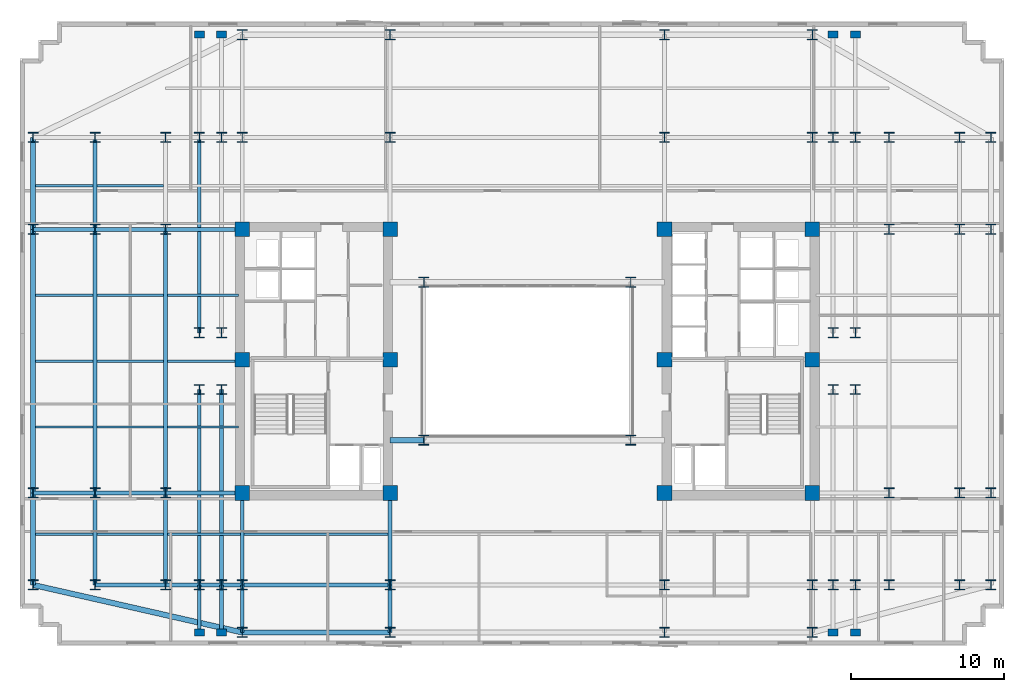
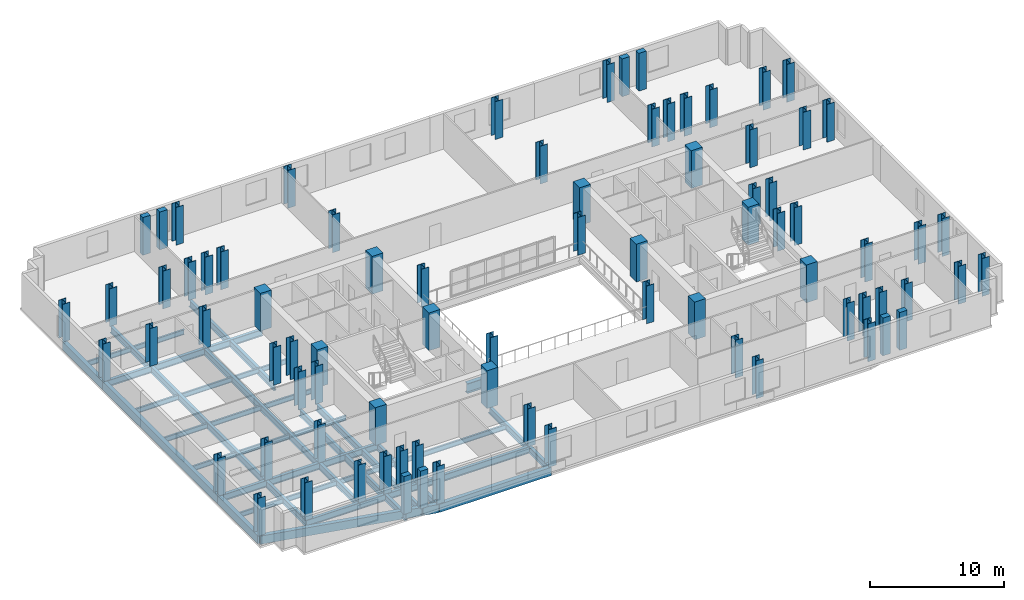
# One storey, part 1 of 12: 80 columns, 44 beams.
"""IFC4 building model written with IfcOpenShell, lengths in metres."""

from ifc_helpers import new_model, si_unit, direction, frame, origin, origin_2d, place, context, subcontext, project, spatial, rectangle, i_section, extrude, material, material_profile, profile_set, type_object, element, save


model = new_model("IFC4")

# Units and contexts
model_context = context("Model", 3, precision=1e-05, world=origin(), true_north=direction((0.0, 1.0)))
body_context = subcontext(model_context, "Body", "Model", "MODEL_VIEW")
ifc_project = project(units=[si_unit("LENGTHUNIT", "METRE"), si_unit("AREAUNIT", "SQUARE_METRE"), si_unit("VOLUMEUNIT", "CUBIC_METRE"), si_unit("PLANEANGLEUNIT", "RADIAN"), si_unit("MASSUNIT", "GRAM", prefix="KILO")], contexts=[model_context])

# Site, building, storey
site_placement = place(None, origin())
site = spatial("IfcSite", under=ifc_project, at=site_placement, CompositionType="ELEMENT")
building_placement = place(site_placement, origin())
building = spatial("IfcBuilding", under=site, at=building_placement, Name="Velakula Bourse", CompositionType="ELEMENT")
storey_placement = place(building_placement, frame((0.0, 0.0, 134.64990234375)))
storey = spatial("IfcBuildingStorey", under=building, at=storey_placement, Name="L36", CompositionType="ELEMENT", Elevation=134.64990234375)

# Columns
ifc_material_1 = material(Name="Concrete M70 (fck 70 MPa)", Category="concrete")
ifc_material_profile_1 = material_profile(ifc_material_1, rectangle(XDim=0.949951171875, YDim=0.949951171875, at=origin_2d()), Name="Concrete M70 (fck 70 MPa)")
ifc_profile_set_1 = profile_set([ifc_material_profile_1], Name="Concrete M70 (fck 70 MPa)")
column_type_1 = type_object("IfcColumnType", Name="COL-RC-950", PredefinedType="COLUMN", material=ifc_profile_set_1)
for number, where, z_axis, x_axis, name in (
    (1, (-8.949951171875, -8.60009765625, 0.0), (0.0, 0.0, 1.0), (1.0, 0.0, 0.0), "L36 Core Boundary Column 01"),
    (2, (-8.949951171875, 0.10009765625, 0.0), (0.0, 0.0, 1.0), (1.0, 0.0, 0.0), "L36 Core Boundary Column 02"),
    (3, (-8.949951171875, 8.60009765625, 0.0), (0.0, 0.0, 1.0), (1.0, 0.0, 0.0), "L36 Core Boundary Column 03"),
    (4, (-18.60009765625, -8.60009765625, 0.0), (0.0, 0.0, 1.0), (1.0, 0.0, 0.0), "L36 Core Boundary Column 04"),
    (5, (-18.60009765625, 0.10009765625, 0.0), (0.0, 0.0, 1.0), (1.0, 0.0, 0.0), "L36 Core Boundary Column 05"),
    (6, (-18.60009765625, 8.60009765625, 0.0), (0.0, 0.0, 1.0), (1.0, 0.0, 0.0), "L36 Core Boundary Column 06"),
    (7, (8.949951171875, -8.60009765625, 0.0), (0.0, 0.0, 1.0), (1.0, 0.0, 0.0), "L36 Core Boundary Column 07"),
    (8, (8.949951171875, 0.10009765625, 0.0), (0.0, 0.0, 1.0), (1.0, 0.0, 0.0), "L36 Core Boundary Column 08"),
    (9, (8.949951171875, 8.60009765625, 0.0), (0.0, 0.0, 1.0), (1.0, 0.0, 0.0), "L36 Core Boundary Column 09"),
    (10, (18.60009765625, -8.60009765625, 0.0), (0.0, 0.0, 1.0), (1.0, 0.0, 0.0), "L36 Core Boundary Column 10"),
    (11, (18.60009765625, 0.10009765625, 0.0), (0.0, 0.0, 1.0), (1.0, 0.0, 0.0), "L36 Core Boundary Column 11"),
    (12, (18.60009765625, 8.60009765625, 0.0), (0.0, 0.0, 1.0), (1.0, 0.0, 0.0), "L36 Core Boundary Column 12"),
):
    element("IfcColumn", number, at=place(storey_placement, frame(where, z_axis=z_axis, x_axis=x_axis)), inside=storey, type_object=column_type_1, Name=name, PredefinedType="COLUMN", context=body_context, shape_type="SweptSolid", body=[
        extrude(rectangle(XDim=0.949951171875, YDim=0.949951171875, at=origin_2d()), origin(), (0.0, 0.0, 1.0), 3.4501953125),
    ])
ifc_material_2 = material(Name="Steel IS 2062 Grade 350 (E350)", Category="steel")
ifc_material_profile_2 = material_profile(ifc_material_2, i_section(OverallWidth=0.64990234375, OverallDepth=0.64990234375, WebThickness=0.028076171875, FlangeThickness=0.0400390625, at=origin_2d()), Name="Steel IS 2062 Grade 350 (E350)")
ifc_profile_set_2 = profile_set([ifc_material_profile_2], Name="Steel IS 2062 Grade 350 (E350)")
column_type_2 = type_object("IfcColumnType", Name="COL-STL-650", PredefinedType="COLUMN", material=ifc_profile_set_2)
for number, where, z_axis, x_axis, name in (
    (13, (-6.75, -5.14990234375, 0.0), (0.0, 0.0, 1.0), (1.0, 0.0, 0.0), "L36 Central Spine Column 01"),
    (14, (-6.75, 5.14990234375, 0.0), (0.0, 0.0, 1.0), (1.0, 0.0, 0.0), "L36 Central Spine Column 02"),
    (15, (6.75, -5.14990234375, 0.0), (0.0, 0.0, 1.0), (1.0, 0.0, 0.0), "L36 Central Spine Column 03"),
    (16, (6.75, 5.14990234375, 0.0), (0.0, 0.0, 1.0), (1.0, 0.0, 0.0), "L36 Central Spine Column 04"),
    (17, (-21.39990234375, -14.60009765625, 0.0), (0.0, 0.0, 1.0), (1.0, 0.0, 0.0), "L36 Tower Fulcrum Column 01"),
    (18, (-21.39990234375, 14.60009765625, 0.0), (0.0, 0.0, 1.0), (1.0, 0.0, 0.0), "L36 Tower Fulcrum Column 02"),
    (19, (-19.949951171875, -14.60009765625, 0.0), (0.0, 0.0, 1.0), (1.0, 0.0, 0.0), "L36 Tower Fulcrum Column 03"),
    (20, (-19.949951171875, 14.60009765625, 0.0), (0.0, 0.0, 1.0), (1.0, 0.0, 0.0), "L36 Tower Fulcrum Column 04"),
    (21, (-18.60009765625, -14.60009765625, 0.0), (0.0, 0.0, 1.0), (1.0, 0.0, 0.0), "L36 Tower Fulcrum Column 05"),
    (22, (-18.60009765625, 14.60009765625, 0.0), (0.0, 0.0, 1.0), (1.0, 0.0, 0.0), "L36 Tower Fulcrum Column 06"),
    (23, (-8.949951171875, -14.60009765625, 0.0), (0.0, 0.0, 1.0), (1.0, 0.0, 0.0), "L36 Tower Fulcrum Column 07"),
    (24, (-8.949951171875, 14.60009765625, 0.0), (0.0, 0.0, 1.0), (1.0, 0.0, 0.0), "L36 Tower Fulcrum Column 08"),
    (25, (8.949951171875, -14.60009765625, 0.0), (0.0, 0.0, 1.0), (1.0, 0.0, 0.0), "L36 Tower Fulcrum Column 09"),
    (26, (8.949951171875, 14.60009765625, 0.0), (0.0, 0.0, 1.0), (1.0, 0.0, 0.0), "L36 Tower Fulcrum Column 10"),
    (27, (18.60009765625, -14.60009765625, 0.0), (0.0, 0.0, 1.0), (1.0, 0.0, 0.0), "L36 Tower Fulcrum Column 11"),
    (28, (18.60009765625, 14.60009765625, 0.0), (0.0, 0.0, 1.0), (1.0, 0.0, 0.0), "L36 Tower Fulcrum Column 12"),
    (29, (19.949951171875, -14.60009765625, 0.0), (0.0, 0.0, 1.0), (1.0, 0.0, 0.0), "L36 Tower Fulcrum Column 13"),
    (30, (19.949951171875, 14.60009765625, 0.0), (0.0, 0.0, 1.0), (1.0, 0.0, 0.0), "L36 Tower Fulcrum Column 14"),
    (31, (21.39990234375, -14.60009765625, 0.0), (0.0, 0.0, 1.0), (1.0, 0.0, 0.0), "L36 Tower Fulcrum Column 15"),
    (32, (21.39990234375, 14.60009765625, 0.0), (0.0, 0.0, 1.0), (1.0, 0.0, 0.0), "L36 Tower Fulcrum Column 16"),
    (33, (-21.39990234375, -1.85009765625, 0.0), (0.0, 0.0, 1.0), (1.0, 0.0, 0.0), "L36 Tower Fulcrum Column 17"),
    (34, (-21.39990234375, 1.85009765625, 0.0), (0.0, 0.0, 1.0), (1.0, 0.0, 0.0), "L36 Tower Fulcrum Column 18"),
    (35, (-19.949951171875, -1.85009765625, 0.0), (0.0, 0.0, 1.0), (1.0, 0.0, 0.0), "L36 Tower Fulcrum Column 19"),
    (36, (-19.949951171875, 1.85009765625, 0.0), (0.0, 0.0, 1.0), (1.0, 0.0, 0.0), "L36 Tower Fulcrum Column 20"),
    (37, (19.949951171875, -1.85009765625, 0.0), (0.0, 0.0, 1.0), (1.0, 0.0, 0.0), "L36 Tower Fulcrum Column 21"),
    (38, (19.949951171875, 1.85009765625, 0.0), (0.0, 0.0, 1.0), (1.0, 0.0, 0.0), "L36 Tower Fulcrum Column 22"),
    (39, (21.39990234375, -1.85009765625, 0.0), (0.0, 0.0, 1.0), (1.0, 0.0, 0.0), "L36 Tower Fulcrum Column 23"),
    (40, (21.39990234375, 1.85009765625, 0.0), (0.0, 0.0, 1.0), (1.0, 0.0, 0.0), "L36 Tower Fulcrum Column 24"),
    (41, (-23.60009765625, -14.60009765625, 0.0), (0.0, 0.0, 1.0), (1.0, 0.0, 0.0), "L36 Mid-Wing Plumb Column 01"),
    (42, (-23.60009765625, -8.60009765625, 0.0), (0.0, 0.0, 1.0), (1.0, 0.0, 0.0), "L36 Mid-Wing Plumb Column 02"),
    (43, (-23.60009765625, 8.60009765625, 0.0), (0.0, 0.0, 1.0), (1.0, 0.0, 0.0), "L36 Mid-Wing Plumb Column 03"),
    (44, (-23.60009765625, 14.60009765625, 0.0), (0.0, 0.0, 1.0), (1.0, 0.0, 0.0), "L36 Mid-Wing Plumb Column 04"),
    (45, (23.60009765625, -14.60009765625, 0.0), (0.0, 0.0, 1.0), (1.0, 0.0, 0.0), "L36 Mid-Wing Plumb Column 05"),
    (46, (23.60009765625, -8.60009765625, 0.0), (0.0, 0.0, 1.0), (1.0, 0.0, 0.0), "L36 Mid-Wing Plumb Column 06"),
    (47, (23.60009765625, 8.60009765625, 0.0), (0.0, 0.0, 1.0), (1.0, 0.0, 0.0), "L36 Mid-Wing Plumb Column 07"),
    (48, (23.60009765625, 14.60009765625, 0.0), (0.0, 0.0, 1.0), (1.0, 0.0, 0.0), "L36 Mid-Wing Plumb Column 08"),
    (49, (-28.199951171875, -14.60009765625, 0.0), (0.0, 0.0, 1.0), (1.0, 0.0, 0.0), "L36 Lower Wing Column 01"),
    (50, (-28.199951171875, -8.60009765625, 0.0), (0.0, 0.0, 1.0), (1.0, 0.0, 0.0), "L36 Lower Wing Column 02"),
    (51, (-28.199951171875, 8.60009765625, 0.0), (0.0, 0.0, 1.0), (1.0, 0.0, 0.0), "L36 Lower Wing Column 03"),
    (52, (-28.199951171875, 14.60009765625, 0.0), (0.0, 0.0, 1.0), (1.0, 0.0, 0.0), "L36 Lower Wing Column 04"),
    (53, (28.199951171875, -14.60009765625, 0.0), (0.0, 0.0, 1.0), (1.0, 0.0, 0.0), "L36 Lower Wing Column 05"),
    (54, (28.199951171875, -8.60009765625, 0.0), (0.0, 0.0, 1.0), (1.0, 0.0, 0.0), "L36 Lower Wing Column 06"),
    (55, (28.199951171875, 8.60009765625, 0.0), (0.0, 0.0, 1.0), (1.0, 0.0, 0.0), "L36 Lower Wing Column 07"),
    (56, (28.199951171875, 14.60009765625, 0.0), (0.0, 0.0, 1.0), (1.0, 0.0, 0.0), "L36 Lower Wing Column 08"),
    (57, (-18.60009765625, -17.699951171875, 0.0), (0.0, 0.0, 1.0), (1.0, 0.0, 0.0), "L36 Block B3 Perimeter Column S1"),
    (58, (-8.949951171875, -17.699951171875, 0.0), (0.0, 0.0, 1.0), (1.0, 0.0, 0.0), "L36 Block B3 Perimeter Column S2"),
    (59, (8.949951171875, -17.699951171875, 0.0), (0.0, 0.0, 1.0), (1.0, 0.0, 0.0), "L36 Block B3 Perimeter Column S3"),
    (60, (18.60009765625, -17.699951171875, 0.0), (0.0, 0.0, 1.0), (1.0, 0.0, 0.0), "L36 Block B3 Perimeter Column S4"),
    (61, (-18.60009765625, 21.300048828125, 0.0), (0.0, 0.0, 1.0), (1.0, 0.0, 0.0), "L36 Block B3 Perimeter Column N1"),
    (62, (-8.949951171875, 21.300048828125, 0.0), (0.0, 0.0, 1.0), (1.0, 0.0, 0.0), "L36 Block B3 Perimeter Column N2"),
    (63, (8.949951171875, 21.300048828125, 0.0), (0.0, 0.0, 1.0), (1.0, 0.0, 0.0), "L36 Block B3 Perimeter Column N3"),
    (64, (18.60009765625, 21.300048828125, 0.0), (0.0, 0.0, 1.0), (1.0, 0.0, 0.0), "L36 Block B3 Perimeter Column N4"),
    (65, (-32.25, -14.60009765625, 0.0), (0.0, 0.0, 1.0), (1.0, 0.0, 0.0), "L36 Block B3 Perimeter Column W1"),
    (66, (-32.25, -8.60009765625, 0.0), (0.0, 0.0, 1.0), (1.0, 0.0, 0.0), "L36 Block B3 Perimeter Column W2"),
    (67, (-32.25, 8.60009765625, 0.0), (0.0, 0.0, 1.0), (1.0, 0.0, 0.0), "L36 Block B3 Perimeter Column W3"),
    (68, (-32.25, 14.60009765625, 0.0), (0.0, 0.0, 1.0), (1.0, 0.0, 0.0), "L36 Block B3 Perimeter Column W4"),
    (69, (30.25, -14.60009765625, 0.0), (0.0, 0.0, 1.0), (1.0, 0.0, 0.0), "L36 Block B3 Perimeter Column E1"),
    (70, (30.25, -8.60009765625, 0.0), (0.0, 0.0, 1.0), (1.0, 0.0, 0.0), "L36 Block B3 Perimeter Column E2"),
    (71, (30.25, 8.60009765625, 0.0), (0.0, 0.0, 1.0), (1.0, 0.0, 0.0), "L36 Block B3 Perimeter Column E3"),
    (72, (30.25, 14.60009765625, 0.0), (0.0, 0.0, 1.0), (1.0, 0.0, 0.0), "L36 Block B3 Perimeter Column E4"),
):
    element("IfcColumn", number, at=place(storey_placement, frame(where, z_axis=z_axis, x_axis=x_axis)), inside=storey, type_object=column_type_2, Name=name, PredefinedType="COLUMN", context=body_context, shape_type="SweptSolid", body=[
        extrude(i_section(OverallWidth=0.64990234375, OverallDepth=0.64990234375, WebThickness=0.028076171875, FlangeThickness=0.0400390625, at=origin_2d()), origin(), (0.0, 0.0, 1.0), 3.4501953125),
    ])
ifc_material_3 = material(Name="Precast concrete M45 (fck 45 MPa)", Category="concrete")
ifc_material_profile_3 = material_profile(ifc_material_3, rectangle(XDim=0.64990234375, YDim=0.449951171875, at=origin_2d()), Name="Precast concrete M45 (fck 45 MPa)")
ifc_profile_set_3 = profile_set([ifc_material_profile_3], Name="Precast concrete M45 (fck 45 MPa)")
column_type_3 = type_object("IfcColumnType", Name="PIL-BRICK-650", PredefinedType="PILASTER", material=ifc_profile_set_3)
for number, where, z_axis, x_axis, name in (
    (73, (-21.39990234375, -17.699951171875, 0.0), (0.0, 0.0, 1.0), (1.0, 0.0, 0.0), "L36 Brick Pier Pilaster 01"),
    (74, (-19.949951171875, -17.699951171875, 0.0), (0.0, 0.0, 1.0), (1.0, 0.0, 0.0), "L36 Brick Pier Pilaster 02"),
    (75, (19.949951171875, -17.699951171875, 0.0), (0.0, 0.0, 1.0), (1.0, 0.0, 0.0), "L36 Brick Pier Pilaster 03"),
    (76, (21.39990234375, -17.699951171875, 0.0), (0.0, 0.0, 1.0), (1.0, 0.0, 0.0), "L36 Brick Pier Pilaster 04"),
    (77, (-21.39990234375, 21.300048828125, 0.0), (0.0, 0.0, 1.0), (1.0, 0.0, 0.0), "L36 Brick Pier Pilaster 05"),
    (78, (-19.949951171875, 21.300048828125, 0.0), (0.0, 0.0, 1.0), (1.0, 0.0, 0.0), "L36 Brick Pier Pilaster 06"),
    (79, (19.949951171875, 21.300048828125, 0.0), (0.0, 0.0, 1.0), (1.0, 0.0, 0.0), "L36 Brick Pier Pilaster 07"),
    (80, (21.39990234375, 21.300048828125, 0.0), (0.0, 0.0, 1.0), (1.0, 0.0, 0.0), "L36 Brick Pier Pilaster 08"),
):
    element("IfcColumn", number, at=place(storey_placement, frame(where, z_axis=z_axis, x_axis=x_axis)), inside=storey, type_object=column_type_3, Name=name, PredefinedType="PILASTER", context=body_context, shape_type="SweptSolid", body=[
        extrude(rectangle(XDim=0.64990234375, YDim=0.449951171875, at=origin_2d()), origin(), (0.0, 0.0, 1.0), 3.4501953125),
    ])

# Beams
ifc_material_profile_4 = material_profile(ifc_material_2, i_section(OverallWidth=0.25, OverallDepth=0.60009765625, WebThickness=0.01123046875, FlangeThickness=0.021240234375, at=origin_2d()), Name="Steel IS 2062 Grade 350 (E350)")
ifc_profile_set_4 = profile_set([ifc_material_profile_4], Name="Steel IS 2062 Grade 350 (E350)")
beam_type_1 = type_object("IfcBeamType", Name="BM-GRD-600M", PredefinedType="BEAM", material=ifc_profile_set_4)
for number, where, z_axis, x_axis, name in (
    (81, (-18.60009765625, -14.60009765625, -0.47998046875), (0.0, 1.0, 0.0), (-1.0, 0.0, 0.0), "L36 Fulcrum Grid Girder FLC-WS"),
    (82, (-8.949951171875, -14.60009765625, -0.47998046875), (0.0, 1.0, 0.0), (-1.0, 0.0, 0.0), "L36 Fulcrum Grid Girder FLC-WCS"),
):
    element("IfcBeam", number, at=place(storey_placement, frame(where, z_axis=z_axis, x_axis=x_axis)), inside=storey, type_object=beam_type_1, Name=name, PredefinedType="BEAM", context=body_context, shape_type="SweptSolid", body=[
        extrude(i_section(OverallWidth=0.25, OverallDepth=0.60009765625, WebThickness=0.01123046875, FlangeThickness=0.021240234375, at=origin_2d()), origin(), (0.0, 0.0, 1.0), 6.0),
    ])
beam_1_placement = place(storey_placement, frame((-18.60009765625, -14.60009765625, -0.47998046875), z_axis=(1.0, 0.0, 0.0), x_axis=(0.0, 1.0, 0.0)))
element("IfcBeam", 83, at=beam_1_placement, inside=storey, type_object=beam_type_1, Name="L36 Fulcrum Grid Girder FLC-S1", PredefinedType="BEAM", context=body_context, shape_type="SweptSolid", body=[
    extrude(i_section(OverallWidth=0.25, OverallDepth=0.60009765625, WebThickness=0.01123046875, FlangeThickness=0.021240234375, at=origin_2d()), origin(), (0.0, 0.0, 1.0), 9.650146484375),
])
for number, where, z_axis, x_axis, name in (
    (84, (-21.39990234375, -14.60009765625, -0.47998046875), (0.0, 1.0, 0.0), (-1.0, 0.0, 0.0), "L36 Fulcrum Grid Girder FLC-PSW1"),
    (85, (-21.39990234375, 1.85009765625, -0.47998046875), (0.0, 1.0, 0.0), (-1.0, 0.0, 0.0), "L36 Fulcrum Grid Girder FLC-PNW1"),
    (86, (-19.949951171875, -14.60009765625, -0.47998046875), (0.0, 1.0, 0.0), (-1.0, 0.0, 0.0), "L36 Fulcrum Grid Girder FLC-PSW2"),
):
    element("IfcBeam", number, at=place(storey_placement, frame(where, z_axis=z_axis, x_axis=x_axis)), inside=storey, type_object=beam_type_1, Name=name, PredefinedType="BEAM", context=body_context, shape_type="SweptSolid", body=[
        extrude(i_section(OverallWidth=0.25, OverallDepth=0.60009765625, WebThickness=0.01123046875, FlangeThickness=0.021240234375, at=origin_2d()), origin(), (0.0, 0.0, 1.0), 12.75),
    ])
for number, where, z_axis, x_axis, name in (
    (87, (-23.60009765625, -14.60009765625, -0.47998046875), (1.0, 0.0, 0.0), (0.0, 1.0, 0.0), "L36 Fulcrum Grid Girder MWG-WS1"),
    (88, (-23.60009765625, -8.60009765625, -0.47998046875), (1.0, 0.0, 0.0), (0.0, 1.0, 0.0), "L36 Fulcrum Grid Girder MWG-WS2"),
    (89, (-23.60009765625, 8.60009765625, -0.47998046875), (1.0, 0.0, 0.0), (0.0, 1.0, 0.0), "L36 Fulcrum Grid Girder MWG-WN1"),
):
    element("IfcBeam", number, at=place(storey_placement, frame(where, z_axis=z_axis, x_axis=x_axis)), inside=storey, type_object=beam_type_1, Name=name, PredefinedType="BEAM", context=body_context, shape_type="SweptSolid", body=[
        extrude(i_section(OverallWidth=0.25, OverallDepth=0.60009765625, WebThickness=0.01123046875, FlangeThickness=0.021240234375, at=origin_2d()), origin(), (0.0, 0.0, 1.0), 5.0),
    ])
beam_2_placement = place(storey_placement, frame((-23.60009765625, -14.60009765625, -0.47998046875), z_axis=(0.0, 1.0, 0.0), x_axis=(-1.0, 0.0, 0.0)))
element("IfcBeam", 90, at=beam_2_placement, inside=storey, type_object=beam_type_1, Name="L36 Fulcrum Grid Girder MWG-WNS1", PredefinedType="BEAM", context=body_context, shape_type="SweptSolid", body=[
    extrude(i_section(OverallWidth=0.25, OverallDepth=0.60009765625, WebThickness=0.01123046875, FlangeThickness=0.021240234375, at=origin_2d()), origin(), (0.0, 0.0, 1.0), 6.0),
])
beam_3_placement = place(storey_placement, frame((-23.60009765625, -8.60009765625, -0.47998046875), z_axis=(0.0, 1.0, 0.0), x_axis=(-1.0, 0.0, 0.0)))
element("IfcBeam", 91, at=beam_3_placement, inside=storey, type_object=beam_type_1, Name="L36 Fulcrum Grid Girder MWG-WNS2", PredefinedType="BEAM", context=body_context, shape_type="SweptSolid", body=[
    extrude(i_section(OverallWidth=0.25, OverallDepth=0.60009765625, WebThickness=0.01123046875, FlangeThickness=0.021240234375, at=origin_2d()), origin(), (0.0, 0.0, 1.0), 17.2001953125),
])
for number, where, z_axis, x_axis, name in (
    (92, (-28.199951171875, -14.60009765625, -0.47998046875), (1.0, 0.0, 0.0), (0.0, 1.0, 0.0), "L36 Fulcrum Grid Girder WNG-WS1"),
    (93, (-28.199951171875, -8.60009765625, -0.47998046875), (1.0, 0.0, 0.0), (0.0, 1.0, 0.0), "L36 Fulcrum Grid Girder WNG-WS2"),
    (94, (-28.199951171875, 8.60009765625, -0.47998046875), (1.0, 0.0, 0.0), (0.0, 1.0, 0.0), "L36 Fulcrum Grid Girder WNG-WN1"),
):
    element("IfcBeam", number, at=place(storey_placement, frame(where, z_axis=z_axis, x_axis=x_axis)), inside=storey, type_object=beam_type_1, Name=name, PredefinedType="BEAM", context=body_context, shape_type="SweptSolid", body=[
        extrude(i_section(OverallWidth=0.25, OverallDepth=0.60009765625, WebThickness=0.01123046875, FlangeThickness=0.021240234375, at=origin_2d()), origin(), (0.0, 0.0, 1.0), 4.599853515625),
    ])
beam_4_placement = place(storey_placement, frame((-28.199951171875, -14.60009765625, -0.47998046875), z_axis=(0.0, 1.0, 0.0), x_axis=(-1.0, 0.0, 0.0)))
element("IfcBeam", 95, at=beam_4_placement, inside=storey, type_object=beam_type_1, Name="L36 Fulcrum Grid Girder WNG-WNS1", PredefinedType="BEAM", context=body_context, shape_type="SweptSolid", body=[
    extrude(i_section(OverallWidth=0.25, OverallDepth=0.60009765625, WebThickness=0.01123046875, FlangeThickness=0.021240234375, at=origin_2d()), origin(), (0.0, 0.0, 1.0), 6.0),
])
beam_5_placement = place(storey_placement, frame((-28.199951171875, -8.60009765625, -0.47998046875), z_axis=(0.0, 1.0, 0.0), x_axis=(-1.0, 0.0, 0.0)))
element("IfcBeam", 96, at=beam_5_placement, inside=storey, type_object=beam_type_1, Name="L36 Fulcrum Grid Girder WNG-WNS2", PredefinedType="BEAM", context=body_context, shape_type="SweptSolid", body=[
    extrude(i_section(OverallWidth=0.25, OverallDepth=0.60009765625, WebThickness=0.01123046875, FlangeThickness=0.021240234375, at=origin_2d()), origin(), (0.0, 0.0, 1.0), 17.2001953125),
])
beam_6_placement = place(storey_placement, frame((-28.199951171875, 8.60009765625, -0.47998046875), z_axis=(0.0, 1.0, 0.0), x_axis=(-1.0, 0.0, 0.0)))
element("IfcBeam", 97, at=beam_6_placement, inside=storey, type_object=beam_type_1, Name="L36 Fulcrum Grid Girder WNG-WNS3", PredefinedType="BEAM", context=body_context, shape_type="SweptSolid", body=[
    extrude(i_section(OverallWidth=0.25, OverallDepth=0.60009765625, WebThickness=0.01123046875, FlangeThickness=0.021240234375, at=origin_2d()), origin(), (0.0, 0.0, 1.0), 6.0),
])
for number, where, z_axis, x_axis, name in (
    (98, (-18.60009765625, -14.60009765625, -0.47998046875), (0.0, -1.0, 0.0), (1.0, 0.0, 0.0), "L36 Perimeter Tie Girder S1"),
    (99, (-8.949951171875, -14.60009765625, -0.47998046875), (0.0, -1.0, 0.0), (1.0, 0.0, 0.0), "L36 Perimeter Tie Girder S2"),
):
    element("IfcBeam", number, at=place(storey_placement, frame(where, z_axis=z_axis, x_axis=x_axis)), inside=storey, type_object=beam_type_1, Name=name, PredefinedType="BEAM", context=body_context, shape_type="SweptSolid", body=[
        extrude(i_section(OverallWidth=0.25, OverallDepth=0.60009765625, WebThickness=0.01123046875, FlangeThickness=0.021240234375, at=origin_2d()), origin(), (0.0, 0.0, 1.0), 3.099853515625),
    ])
for number, where, z_axis, x_axis, name in (
    (100, (-28.199951171875, -8.60009765625, -0.47998046875), (-1.0, 0.0, 0.0), (0.0, -1.0, 0.0), "L36 Perimeter Tie Girder W2"),
    (101, (-28.199951171875, 8.60009765625, -0.47998046875), (-1.0, 0.0, 0.0), (0.0, -1.0, 0.0), "L36 Perimeter Tie Girder W3"),
):
    element("IfcBeam", number, at=place(storey_placement, frame(where, z_axis=z_axis, x_axis=x_axis)), inside=storey, type_object=beam_type_1, Name=name, PredefinedType="BEAM", context=body_context, shape_type="SweptSolid", body=[
        extrude(i_section(OverallWidth=0.25, OverallDepth=0.60009765625, WebThickness=0.01123046875, FlangeThickness=0.021240234375, at=origin_2d()), origin(), (0.0, 0.0, 1.0), 4.050048828125),
    ])
for number, where, z_axis, x_axis, name in (
    (102, (-21.39990234375, -14.60009765625, -0.47998046875), (0.0, -1.0, 0.0), (1.0, 0.0, 0.0), "L36 Perimeter Tie Girder P01"),
    (103, (-19.949951171875, -14.60009765625, -0.47998046875), (0.0, -1.0, 0.0), (1.0, 0.0, 0.0), "L36 Perimeter Tie Girder P02"),
):
    element("IfcBeam", number, at=place(storey_placement, frame(where, z_axis=z_axis, x_axis=x_axis)), inside=storey, type_object=beam_type_1, Name=name, PredefinedType="BEAM", context=body_context, shape_type="SweptSolid", body=[
        extrude(i_section(OverallWidth=0.25, OverallDepth=0.60009765625, WebThickness=0.01123046875, FlangeThickness=0.021240234375, at=origin_2d()), origin(), (0.0, 0.0, 1.0), 3.099853515625),
    ])
ifc_material_profile_5 = material_profile(ifc_material_2, i_section(OverallWidth=0.35009765625, OverallDepth=0.89990234375, WebThickness=0.02001953125, FlangeThickness=0.031982421875, at=origin_2d()), Name="Steel IS 2062 Grade 350 (E350)")
ifc_profile_set_5 = profile_set([ifc_material_profile_5], Name="Steel IS 2062 Grade 350 (E350)")
beam_type_2 = type_object("IfcBeamType", Name="BM-LNK-900", PredefinedType="BEAM", material=ifc_profile_set_5)
beam_7_placement = place(storey_placement, frame((-8.949951171875, -5.14990234375, -0.6298828125), z_axis=(1.0, 0.0, 0.0), x_axis=(0.0, 1.0, 0.0)))
element("IfcBeam", 104, at=beam_7_placement, inside=storey, type_object=beam_type_2, Name="L36 Primary Backbone Girder LNK-S1", PredefinedType="BEAM", context=body_context, shape_type="SweptSolid", body=[
    extrude(i_section(OverallWidth=0.35009765625, OverallDepth=0.89990234375, WebThickness=0.02001953125, FlangeThickness=0.031982421875, at=origin_2d()), origin(), (0.0, 0.0, 1.0), 2.199951171875),
])
ifc_material_profile_6 = material_profile(ifc_material_2, i_section(OverallWidth=0.14990234375, OverallDepth=0.449951171875, WebThickness=0.009521484375, FlangeThickness=0.017333984375, at=origin_2d()), Name="Steel IS 2062 Grade 350 (E350)")
ifc_profile_set_6 = profile_set([ifc_material_profile_6], Name="Steel IS 2062 Grade 350 (E350)")
beam_type_3 = type_object("IfcBeamType", Name="JST-TWR-450", PredefinedType="JOIST", material=ifc_profile_set_6)
beam_8_placement = place(storey_placement, frame((-32.074951171875, -11.300048828125, -0.40478515625), z_axis=(1.0, 0.0, 0.0), x_axis=(0.0, 1.0, 0.0)))
element("IfcBeam", 105, at=beam_8_placement, inside=storey, type_object=beam_type_3, Name="L36 Trading Floor Composite Joist 01", PredefinedType="JOIST", context=body_context, shape_type="SweptSolid", body=[
    extrude(i_section(OverallWidth=0.14990234375, OverallDepth=0.449951171875, WebThickness=0.009521484375, FlangeThickness=0.017333984375, at=origin_2d()), origin(), (0.0, 0.0, 1.0), 3.75),
])
beam_9_placement = place(storey_placement, frame((-28.074951171875, -11.300048828125, -0.40478515625), z_axis=(1.0, 0.0, 0.0), x_axis=(0.0, 1.0, 0.0)))
element("IfcBeam", 106, at=beam_9_placement, inside=storey, type_object=beam_type_3, Name="L36 Trading Floor Composite Joist 02", PredefinedType="JOIST", context=body_context, shape_type="SweptSolid", body=[
    extrude(i_section(OverallWidth=0.14990234375, OverallDepth=0.449951171875, WebThickness=0.009521484375, FlangeThickness=0.017333984375, at=origin_2d()), origin(), (0.0, 0.0, 1.0), 4.349853515625),
])
beam_10_placement = place(storey_placement, frame((-23.47509765625, -11.300048828125, -0.40478515625), z_axis=(1.0, 0.0, 0.0), x_axis=(0.0, 1.0, 0.0)))
element("IfcBeam", 107, at=beam_10_placement, inside=storey, type_object=beam_type_3, Name="L36 Trading Floor Composite Joist 03", PredefinedType="JOIST", context=body_context, shape_type="SweptSolid", body=[
    extrude(i_section(OverallWidth=0.14990234375, OverallDepth=0.449951171875, WebThickness=0.009521484375, FlangeThickness=0.017333984375, at=origin_2d()), origin(), (0.0, 0.0, 1.0), 4.75),
])
beam_11_placement = place(storey_placement, frame((-18.47509765625, -11.300048828125, -0.40478515625), z_axis=(1.0, 0.0, 0.0), x_axis=(0.0, 1.0, 0.0)))
element("IfcBeam", 108, at=beam_11_placement, inside=storey, type_object=beam_type_3, Name="L36 Trading Floor Composite Joist 04", PredefinedType="JOIST", context=body_context, shape_type="SweptSolid", body=[
    extrude(i_section(OverallWidth=0.14990234375, OverallDepth=0.449951171875, WebThickness=0.009521484375, FlangeThickness=0.017333984375, at=origin_2d()), origin(), (0.0, 0.0, 1.0), 9.400146484375),
])
beam_12_placement = place(storey_placement, frame((-32.074951171875, 11.449951171875, -0.40478515625), z_axis=(1.0, 0.0, 0.0), x_axis=(0.0, 1.0, 0.0)))
element("IfcBeam", 109, at=beam_12_placement, inside=storey, type_object=beam_type_3, Name="L36 Trading Floor Composite Joist 09", PredefinedType="JOIST", context=body_context, shape_type="SweptSolid", body=[
    extrude(i_section(OverallWidth=0.14990234375, OverallDepth=0.449951171875, WebThickness=0.009521484375, FlangeThickness=0.017333984375, at=origin_2d()), origin(), (0.0, 0.0, 1.0), 3.75),
])
beam_13_placement = place(storey_placement, frame((-28.074951171875, 11.449951171875, -0.40478515625), z_axis=(1.0, 0.0, 0.0), x_axis=(0.0, 1.0, 0.0)))
element("IfcBeam", 110, at=beam_13_placement, inside=storey, type_object=beam_type_3, Name="L36 Trading Floor Composite Joist 10", PredefinedType="JOIST", context=body_context, shape_type="SweptSolid", body=[
    extrude(i_section(OverallWidth=0.14990234375, OverallDepth=0.449951171875, WebThickness=0.009521484375, FlangeThickness=0.017333984375, at=origin_2d()), origin(), (0.0, 0.0, 1.0), 4.349853515625),
])
beam_14_placement = place(storey_placement, frame((-32.074951171875, -4.300048828125, -0.40478515625), z_axis=(1.0, 0.0, 0.0), x_axis=(0.0, 1.0, 0.0)))
element("IfcBeam", 111, at=beam_14_placement, inside=storey, type_object=beam_type_3, Name="L36 Trading Floor Composite Joist 25", PredefinedType="JOIST", context=body_context, shape_type="SweptSolid", body=[
    extrude(i_section(OverallWidth=0.14990234375, OverallDepth=0.449951171875, WebThickness=0.009521484375, FlangeThickness=0.017333984375, at=origin_2d()), origin(), (0.0, 0.0, 1.0), 3.75),
])
beam_15_placement = place(storey_placement, frame((-28.074951171875, -4.300048828125, -0.40478515625), z_axis=(1.0, 0.0, 0.0), x_axis=(0.0, 1.0, 0.0)))
element("IfcBeam", 112, at=beam_15_placement, inside=storey, type_object=beam_type_3, Name="L36 Trading Floor Composite Joist 26", PredefinedType="JOIST", context=body_context, shape_type="SweptSolid", body=[
    extrude(i_section(OverallWidth=0.14990234375, OverallDepth=0.449951171875, WebThickness=0.009521484375, FlangeThickness=0.017333984375, at=origin_2d()), origin(), (0.0, 0.0, 1.0), 4.349853515625),
])
beam_16_placement = place(storey_placement, frame((-23.47509765625, -4.300048828125, -0.40478515625), z_axis=(1.0, 0.0, 0.0), x_axis=(0.0, 1.0, 0.0)))
element("IfcBeam", 113, at=beam_16_placement, inside=storey, type_object=beam_type_3, Name="L36 Trading Floor Composite Joist 27", PredefinedType="JOIST", context=body_context, shape_type="SweptSolid", body=[
    extrude(i_section(OverallWidth=0.14990234375, OverallDepth=0.449951171875, WebThickness=0.009521484375, FlangeThickness=0.017333984375, at=origin_2d()), origin(), (0.0, 0.0, 1.0), 4.625),
])
beam_17_placement = place(storey_placement, frame((-32.074951171875, 0.0, -0.40478515625), z_axis=(1.0, 0.0, 0.0), x_axis=(0.0, 1.0, 0.0)))
element("IfcBeam", 114, at=beam_17_placement, inside=storey, type_object=beam_type_3, Name="L36 Trading Floor Composite Joist 30", PredefinedType="JOIST", context=body_context, shape_type="SweptSolid", body=[
    extrude(i_section(OverallWidth=0.14990234375, OverallDepth=0.449951171875, WebThickness=0.009521484375, FlangeThickness=0.017333984375, at=origin_2d()), origin(), (0.0, 0.0, 1.0), 3.75),
])
beam_18_placement = place(storey_placement, frame((-28.074951171875, 0.0, -0.40478515625), z_axis=(1.0, 0.0, 0.0), x_axis=(0.0, 1.0, 0.0)))
element("IfcBeam", 115, at=beam_18_placement, inside=storey, type_object=beam_type_3, Name="L36 Trading Floor Composite Joist 31", PredefinedType="JOIST", context=body_context, shape_type="SweptSolid", body=[
    extrude(i_section(OverallWidth=0.14990234375, OverallDepth=0.449951171875, WebThickness=0.009521484375, FlangeThickness=0.017333984375, at=origin_2d()), origin(), (0.0, 0.0, 1.0), 4.349853515625),
])
beam_19_placement = place(storey_placement, frame((-23.47509765625, 0.0, -0.40478515625), z_axis=(1.0, 0.0, 0.0), x_axis=(0.0, 1.0, 0.0)))
element("IfcBeam", 116, at=beam_19_placement, inside=storey, type_object=beam_type_3, Name="L36 Trading Floor Composite Joist 32", PredefinedType="JOIST", context=body_context, shape_type="SweptSolid", body=[
    extrude(i_section(OverallWidth=0.14990234375, OverallDepth=0.449951171875, WebThickness=0.009521484375, FlangeThickness=0.017333984375, at=origin_2d()), origin(), (0.0, 0.0, 1.0), 4.625),
])
beam_20_placement = place(storey_placement, frame((-32.074951171875, 4.300048828125, -0.40478515625), z_axis=(1.0, 0.0, 0.0), x_axis=(0.0, 1.0, 0.0)))
element("IfcBeam", 117, at=beam_20_placement, inside=storey, type_object=beam_type_3, Name="L36 Trading Floor Composite Joist 35", PredefinedType="JOIST", context=body_context, shape_type="SweptSolid", body=[
    extrude(i_section(OverallWidth=0.14990234375, OverallDepth=0.449951171875, WebThickness=0.009521484375, FlangeThickness=0.017333984375, at=origin_2d()), origin(), (0.0, 0.0, 1.0), 3.75),
])
beam_21_placement = place(storey_placement, frame((-28.074951171875, 4.300048828125, -0.40478515625), z_axis=(1.0, 0.0, 0.0), x_axis=(0.0, 1.0, 0.0)))
element("IfcBeam", 118, at=beam_21_placement, inside=storey, type_object=beam_type_3, Name="L36 Trading Floor Composite Joist 36", PredefinedType="JOIST", context=body_context, shape_type="SweptSolid", body=[
    extrude(i_section(OverallWidth=0.14990234375, OverallDepth=0.449951171875, WebThickness=0.009521484375, FlangeThickness=0.017333984375, at=origin_2d()), origin(), (0.0, 0.0, 1.0), 4.349853515625),
])
beam_22_placement = place(storey_placement, frame((-23.47509765625, 4.300048828125, -0.40478515625), z_axis=(1.0, 0.0, 0.0), x_axis=(0.0, 1.0, 0.0)))
element("IfcBeam", 119, at=beam_22_placement, inside=storey, type_object=beam_type_3, Name="L36 Trading Floor Composite Joist 37", PredefinedType="JOIST", context=body_context, shape_type="SweptSolid", body=[
    extrude(i_section(OverallWidth=0.14990234375, OverallDepth=0.449951171875, WebThickness=0.009521484375, FlangeThickness=0.017333984375, at=origin_2d()), origin(), (0.0, 0.0, 1.0), 4.625),
])
ifc_material_profile_7 = material_profile(ifc_material_3, rectangle(XDim=0.35009765625, YDim=0.75, at=origin_2d()), Name="Precast concrete M45 (fck 45 MPa)")
ifc_profile_set_7 = profile_set([ifc_material_profile_7], Name="Precast concrete M45 (fck 45 MPa)")
beam_type_4 = type_object("IfcBeamType", Name="SPN-BRICK-750", PredefinedType="SPANDREL", material=ifc_profile_set_7)
beam_23_placement = place(storey_placement, frame((-18.60009765625, -17.699951171875, -0.554931640625), z_axis=(1.0, 0.0, 0.0), x_axis=(0.0, 1.0, 0.0)))
element("IfcBeam", 120, at=beam_23_placement, inside=storey, type_object=beam_type_4, Name="L36 Brick-Faced Precast Spandrel S1-S2", PredefinedType="SPANDREL", context=body_context, shape_type="SweptSolid", body=[
    extrude(rectangle(XDim=0.35009765625, YDim=0.75, at=origin_2d()), origin(), (0.0, 0.0, 1.0), 9.650146484375),
])
beam_24_placement = place(storey_placement, frame((-32.25, -14.60009765625, -0.554931640625), z_axis=(0.0, 1.0, 0.0), x_axis=(-1.0, 0.0, 0.0)))
element("IfcBeam", 121, at=beam_24_placement, inside=storey, type_object=beam_type_4, Name="L36 Brick-Faced Precast Spandrel W1-W2", PredefinedType="SPANDREL", context=body_context, shape_type="SweptSolid", body=[
    extrude(rectangle(XDim=0.35009765625, YDim=0.75, at=origin_2d()), origin(), (0.0, 0.0, 1.0), 6.0),
])
beam_25_placement = place(storey_placement, frame((-32.25, -8.60009765625, -0.554931640625), z_axis=(0.0, 1.0, 0.0), x_axis=(-1.0, 0.0, 0.0)))
element("IfcBeam", 122, at=beam_25_placement, inside=storey, type_object=beam_type_4, Name="L36 Brick-Faced Precast Spandrel W2-W3", PredefinedType="SPANDREL", context=body_context, shape_type="SweptSolid", body=[
    extrude(rectangle(XDim=0.35009765625, YDim=0.75, at=origin_2d()), origin(), (0.0, 0.0, 1.0), 17.2001953125),
])
beam_26_placement = place(storey_placement, frame((-32.25, 8.60009765625, -0.554931640625), z_axis=(0.0, 1.0, 0.0), x_axis=(-1.0, 0.0, 0.0)))
element("IfcBeam", 123, at=beam_26_placement, inside=storey, type_object=beam_type_4, Name="L36 Brick-Faced Precast Spandrel W3-W4", PredefinedType="SPANDREL", context=body_context, shape_type="SweptSolid", body=[
    extrude(rectangle(XDim=0.35009765625, YDim=0.75, at=origin_2d()), origin(), (0.0, 0.0, 1.0), 6.0),
])
beam_27_placement = place(storey_placement, frame((-32.25, -14.60009765625, -0.554931640625), z_axis=(0.975169850292, -0.221458264875, 0.0), x_axis=(0.221458264875, 0.975169850292, 0.0)))
element("IfcBeam", 124, at=beam_27_placement, inside=storey, type_object=beam_type_4, Name="L36 Brick-Faced Precast Spandrel W1-S1", PredefinedType="SPANDREL", context=body_context, shape_type="SweptSolid", body=[
    extrude(rectangle(XDim=0.35009765625, YDim=0.75, at=origin_2d()), origin(), (0.0, 0.0, 1.0), 13.99755859375),
])

save(model, "model.ifc")
